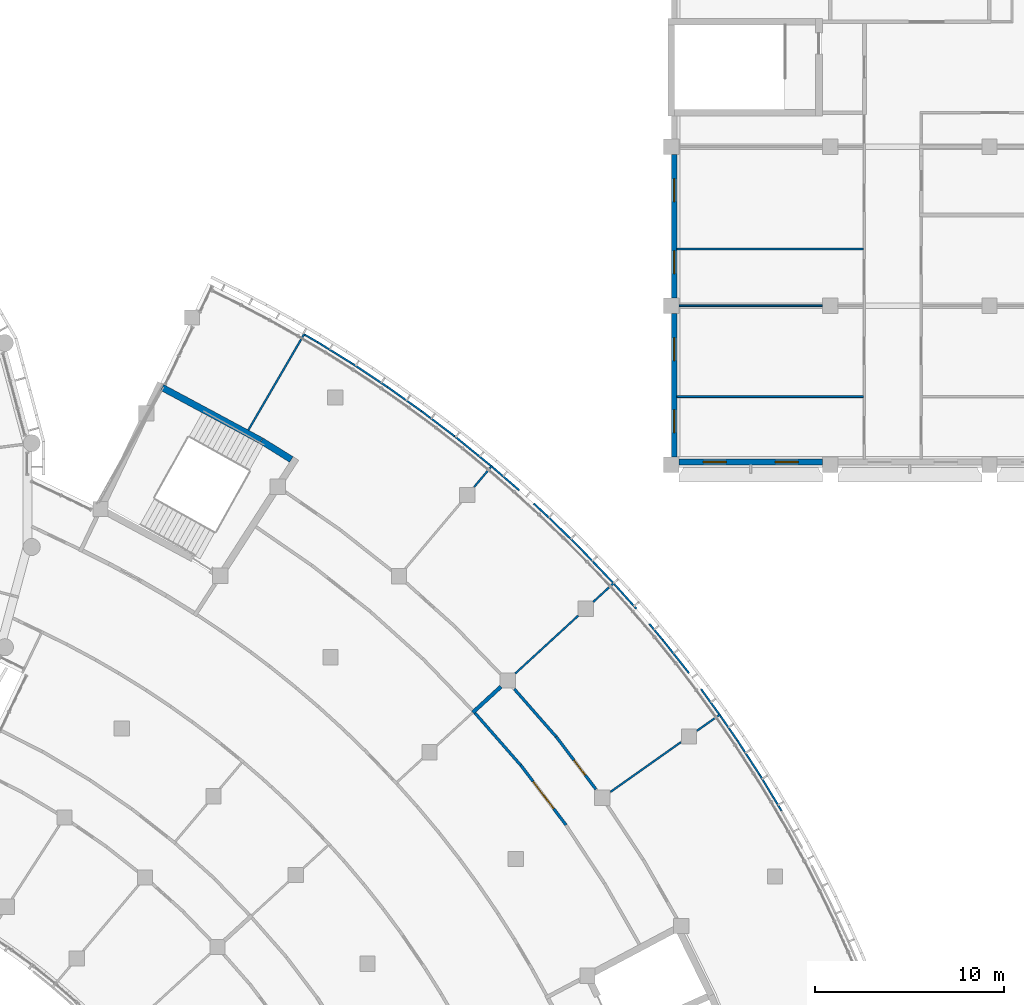
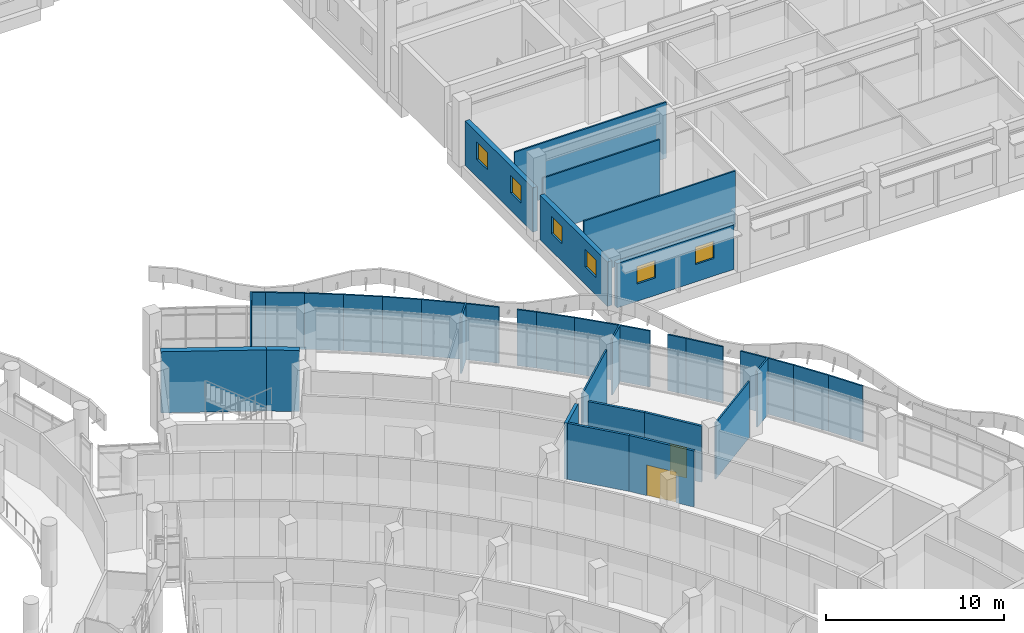
# One storey, part 52 of 109: 36 walls, 6 windows, 2 doors, 8 openings.
"""IFC4 building model written with IfcOpenShell, lengths in metres."""

from ifc_helpers import new_model, si_unit, direction, frame, frame_2d, origin, place, context, subcontext, project, spatial, rectangle, extrude, material, layer, layer_set, type_object, element, fill, save


model = new_model("IFC4")

# Units and contexts
model_context = context("Model", 3, precision=1e-05, world=origin(), true_north=direction((0.0, 1.0)))
body_context = subcontext(model_context, "Body", "Model", "MODEL_VIEW")
ifc_project = project(units=[si_unit("LENGTHUNIT", "METRE"), si_unit("AREAUNIT", "SQUARE_METRE"), si_unit("VOLUMEUNIT", "CUBIC_METRE"), si_unit("PLANEANGLEUNIT", "RADIAN"), si_unit("MASSUNIT", "GRAM", prefix="KILO")], contexts=[model_context])

# Site, building, storey
site_placement = place(None, origin())
site = spatial("IfcSite", under=ifc_project, at=site_placement, CompositionType="ELEMENT")
building_placement = place(site_placement, origin())
building = spatial("IfcBuilding", under=site, at=building_placement, Name="Bougainvillea Quay General Hospital", CompositionType="ELEMENT")
storey_placement = place(building_placement, frame((0.0, 0.0, 12.60009765625)))
storey = spatial("IfcBuildingStorey", under=building, at=storey_placement, Name="L02", CompositionType="ELEMENT", Elevation=12.60009765625)

# Wall, openings, windows
ifc_material_1 = material(Name="Pale stone rainscreen cladding on insulated masonry backing, pale stone", Category="masonry")
ifc_layer_1 = layer(ifc_material_1, 0.300048828125)
ifc_layer_set_1 = layer_set([ifc_layer_1], Name="Pale stone rainscreen cladding on insulated masonry backing, pale stone")
wall_type_1 = type_object("IfcWallType", Name="External wall pale stone rainscreen 300", PredefinedType="STANDARD", material=ifc_layer_set_1)
wall_1_placement = place(storey_placement, frame((163.949951171875, 92.0, 0.0), z_axis=(0.0, 0.0, 1.0), x_axis=(0.0, -1.0, 0.0)))
wall_1 = element("IfcWall", 1, at=wall_1_placement, inside=storey, type_object=wall_type_1, Name="External wall wall/V3/L02/p0/00e", PredefinedType="STANDARD", context=body_context, shape_type="SweptSolid", body=[
    extrude(rectangle(XDim=7.60009765625, YDim=0.300048828125, at=frame_2d((3.800048828125, 0.0))), origin(), (0.0, 0.0, 1.0), 3.0498046875),
])
opening_1_placement = place(wall_1_placement, frame((1.300048828125, 0.0, 1.199951171875)))
opening_1 = element("IfcOpeningElement", 2, at=opening_1_placement, cuts=wall_1, Name="Opening W2", PredefinedType="OPENING", context=body_context, shape_type="SweptSolid", body=[
    extrude(rectangle(XDim=1.199951171875, YDim=1.199951171875, at=frame_2d((0.60009765625, 0.60009765625))), frame((0.0, 0.159912109375, 0.0), z_axis=(0.0, -1.0, 0.0), x_axis=(1.0, 0.0, 0.0)), (0.0, 0.0, 1.0), 0.320068359375),
])
opening_2_placement = place(wall_1_placement, frame((5.10009765625, 0.0, 1.199951171875)))
opening_2 = element("IfcOpeningElement", 3, at=opening_2_placement, cuts=wall_1, Name="Opening W2", PredefinedType="OPENING", context=body_context, shape_type="SweptSolid", body=[
    extrude(rectangle(XDim=1.199951171875, YDim=1.199951171875, at=frame_2d((0.60009765625, 0.60009765625))), frame((0.0, 0.159912109375, 0.0), z_axis=(0.0, -1.0, 0.0), x_axis=(1.0, 0.0, 0.0)), (0.0, 0.0, 1.0), 0.320068359375),
])
ifc_material_2 = material(Name="Aluminium window frame with low-e double glazed unit", Category="aluminium")
window_type = type_object("IfcWindowType", Name="Window W2 1200x1200", PartitioningType="SINGLE_PANEL", PredefinedType="WINDOW", material=ifc_material_2)
window_1_placement = place(opening_1_placement, origin())
window_1 = element("IfcWindow", 4, at=window_1_placement, inside=storey, type_object=window_type, Name="Window W2 1", OverallHeight=1.199951171875, OverallWidth=1.199951171875, PartitioningType="SINGLE_PANEL", PredefinedType="WINDOW", context=body_context, shape_type="SweptSolid", body=[
    extrude(rectangle(XDim=1.199951171875, YDim=1.199951171875, at=frame_2d((0.60009765625, 0.60009765625))), frame((0.0, 0.030029296875, 0.0), z_axis=(0.0, -1.0, 0.0), x_axis=(1.0, 0.0, 0.0)), (0.0, 0.0, 1.0), 0.06005859375),
])
fill(opening_1, window_1)
window_2_placement = place(opening_2_placement, origin())
window_2 = element("IfcWindow", 5, at=window_2_placement, inside=storey, type_object=window_type, Name="Window W2 2", OverallHeight=1.199951171875, OverallWidth=1.199951171875, PartitioningType="SINGLE_PANEL", PredefinedType="WINDOW", context=body_context, shape_type="SweptSolid", body=[
    extrude(rectangle(XDim=1.199951171875, YDim=1.199951171875, at=frame_2d((0.60009765625, 0.60009765625))), frame((0.0, 0.030029296875, 0.0), z_axis=(0.0, -1.0, 0.0), x_axis=(1.0, 0.0, 0.0)), (0.0, 0.0, 1.0), 0.06005859375),
])
fill(opening_2, window_2)

wall_2_placement = place(storey_placement, frame((163.949951171875, 83.60009765625, 0.0), z_axis=(0.0, 0.0, 1.0), x_axis=(0.0, -1.0, 0.0)))
wall_2 = element("IfcWall", 6, at=wall_2_placement, inside=storey, type_object=wall_type_1, Name="External wall wall/V3/L02/p0/00f", PredefinedType="STANDARD", context=body_context, shape_type="SweptSolid", body=[
    extrude(rectangle(XDim=7.60009765625, YDim=0.300048828125, at=frame_2d((3.800048828125, 0.0))), origin(), (0.0, 0.0, 1.0), 3.0498046875),
])
opening_3_placement = place(wall_2_placement, frame((1.300048828125, 0.0, 1.199951171875)))
opening_3 = element("IfcOpeningElement", 7, at=opening_3_placement, cuts=wall_2, Name="Opening W2", PredefinedType="OPENING", context=body_context, shape_type="SweptSolid", body=[
    extrude(rectangle(XDim=1.199951171875, YDim=1.199951171875, at=frame_2d((0.60009765625, 0.60009765625))), frame((0.0, 0.159912109375, 0.0), z_axis=(0.0, -1.0, 0.0), x_axis=(1.0, 0.0, 0.0)), (0.0, 0.0, 1.0), 0.320068359375),
])
opening_4_placement = place(wall_2_placement, frame((5.10009765625, 0.0, 1.199951171875)))
opening_4 = element("IfcOpeningElement", 8, at=opening_4_placement, cuts=wall_2, Name="Opening W2", PredefinedType="OPENING", context=body_context, shape_type="SweptSolid", body=[
    extrude(rectangle(XDim=1.199951171875, YDim=1.199951171875, at=frame_2d((0.60009765625, 0.60009765625))), frame((0.0, 0.159912109375, 0.0), z_axis=(0.0, -1.0, 0.0), x_axis=(1.0, 0.0, 0.0)), (0.0, 0.0, 1.0), 0.320068359375),
])
window_3_placement = place(opening_3_placement, origin())
window_3 = element("IfcWindow", 9, at=window_3_placement, inside=storey, type_object=window_type, Name="Window W2 1", OverallHeight=1.199951171875, OverallWidth=1.199951171875, PartitioningType="SINGLE_PANEL", PredefinedType="WINDOW", context=body_context, shape_type="SweptSolid", body=[
    extrude(rectangle(XDim=1.199951171875, YDim=1.199951171875, at=frame_2d((0.60009765625, 0.60009765625))), frame((0.0, 0.030029296875, 0.0), z_axis=(0.0, -1.0, 0.0), x_axis=(1.0, 0.0, 0.0)), (0.0, 0.0, 1.0), 0.06005859375),
])
fill(opening_3, window_3)
window_4_placement = place(opening_4_placement, origin())
window_4 = element("IfcWindow", 10, at=window_4_placement, inside=storey, type_object=window_type, Name="Window W2 2", OverallHeight=1.199951171875, OverallWidth=1.199951171875, PartitioningType="SINGLE_PANEL", PredefinedType="WINDOW", context=body_context, shape_type="SweptSolid", body=[
    extrude(rectangle(XDim=1.199951171875, YDim=1.199951171875, at=frame_2d((0.60009765625, 0.60009765625))), frame((0.0, 0.030029296875, 0.0), z_axis=(0.0, -1.0, 0.0), x_axis=(1.0, 0.0, 0.0)), (0.0, 0.0, 1.0), 0.06005859375),
])
fill(opening_4, window_4)

wall_3_placement = place(storey_placement, frame((164.199951171875, 75.75, 0.0), z_axis=(0.0, 0.0, 1.0), x_axis=(1.0, 0.0, 0.0)))
wall_3 = element("IfcWall", 11, at=wall_3_placement, inside=storey, type_object=wall_type_1, Name="External wall wall/V3/L02/p0/01a", PredefinedType="STANDARD", context=body_context, shape_type="SweptSolid", body=[
    extrude(rectangle(XDim=7.60009765625, YDim=0.300048828125, at=frame_2d((3.800048828125, 0.0))), origin(), (0.0, 0.0, 1.0), 3.0498046875),
])
opening_5_placement = place(wall_3_placement, frame((1.300048828125, 0.0, 1.199951171875)))
opening_5 = element("IfcOpeningElement", 12, at=opening_5_placement, cuts=wall_3, Name="Opening W2", PredefinedType="OPENING", context=body_context, shape_type="SweptSolid", body=[
    extrude(rectangle(XDim=1.199951171875, YDim=1.199951171875, at=frame_2d((0.60009765625, 0.60009765625))), frame((0.0, 0.159912109375, 0.0), z_axis=(0.0, -1.0, 0.0), x_axis=(1.0, 0.0, 0.0)), (0.0, 0.0, 1.0), 0.320068359375),
])
opening_6_placement = place(wall_3_placement, frame((5.10009765625, 0.0, 1.199951171875)))
opening_6 = element("IfcOpeningElement", 13, at=opening_6_placement, cuts=wall_3, Name="Opening W2", PredefinedType="OPENING", context=body_context, shape_type="SweptSolid", body=[
    extrude(rectangle(XDim=1.199951171875, YDim=1.199951171875, at=frame_2d((0.60009765625, 0.60009765625))), frame((0.0, 0.159912109375, 0.0), z_axis=(0.0, -1.0, 0.0), x_axis=(1.0, 0.0, 0.0)), (0.0, 0.0, 1.0), 0.320068359375),
])
window_5_placement = place(opening_5_placement, origin())
window_5 = element("IfcWindow", 14, at=window_5_placement, inside=storey, type_object=window_type, Name="Window W2 1", OverallHeight=1.199951171875, OverallWidth=1.199951171875, PartitioningType="SINGLE_PANEL", PredefinedType="WINDOW", context=body_context, shape_type="SweptSolid", body=[
    extrude(rectangle(XDim=1.199951171875, YDim=1.199951171875, at=frame_2d((0.60009765625, 0.60009765625))), frame((0.0, 0.030029296875, 0.0), z_axis=(0.0, -1.0, 0.0), x_axis=(1.0, 0.0, 0.0)), (0.0, 0.0, 1.0), 0.06005859375),
])
fill(opening_5, window_5)
window_6_placement = place(opening_6_placement, origin())
window_6 = element("IfcWindow", 15, at=window_6_placement, inside=storey, type_object=window_type, Name="Window W2 2", OverallHeight=1.199951171875, OverallWidth=1.199951171875, PartitioningType="SINGLE_PANEL", PredefinedType="WINDOW", context=body_context, shape_type="SweptSolid", body=[
    extrude(rectangle(XDim=1.199951171875, YDim=1.199951171875, at=frame_2d((0.60009765625, 0.60009765625))), frame((0.0, 0.030029296875, 0.0), z_axis=(0.0, -1.0, 0.0), x_axis=(1.0, 0.0, 0.0)), (0.0, 0.0, 1.0), 0.06005859375),
])
fill(opening_6, window_6)

# Walls
ifc_material_3 = material(Name="Gypsum board partition on steel studs", Category="steel")
ifc_layer_2 = layer(ifc_material_3, 0.10009765625)
ifc_layer_set_2 = layer_set([ifc_layer_2], Name="Gypsum board partition on steel studs")
wall_type_2 = type_object("IfcWallType", Name="Partition 100 Gypsum board partition", PredefinedType="PARTITIONING", material=ifc_layer_set_2)
wall_4_placement = place(storey_placement, frame((164.10009765625, 79.199951171875, 0.0), z_axis=(0.0, 0.0, 1.0), x_axis=(1.0, 0.0, 0.0)))
element("IfcWall", 16, at=wall_4_placement, inside=storey, type_object=wall_type_2, Name="Partition 100 mm", PredefinedType="PARTITIONING", context=body_context, shape_type="SweptSolid", body=[
    extrude(rectangle(XDim=9.849853515625, YDim=0.10009765625, at=frame_2d((4.9248046875, 0.0))), origin(), (0.0, 0.0, 1.0), 3.849853515625),
])
wall_5_placement = place(storey_placement, frame((164.199951171875, 84.0, 0.0), z_axis=(0.0, 0.0, 1.0), x_axis=(1.0, 0.0, 0.0)))
element("IfcWall", 17, at=wall_5_placement, inside=storey, type_object=wall_type_2, Name="Partition 100 mm", PredefinedType="PARTITIONING", context=body_context, shape_type="SweptSolid", body=[
    extrude(rectangle(XDim=7.60009765625, YDim=0.10009765625, at=frame_2d((3.800048828125, 0.0))), origin(), (0.0, 0.0, 1.0), 3.849853515625),
])
wall_6_placement = place(storey_placement, frame((164.10009765625, 87.0, 0.0), z_axis=(0.0, 0.0, 1.0), x_axis=(1.0, 0.0, 0.0)))
element("IfcWall", 18, at=wall_6_placement, inside=storey, type_object=wall_type_2, Name="Partition 100 mm", PredefinedType="PARTITIONING", context=body_context, shape_type="SweptSolid", body=[
    extrude(rectangle(XDim=9.849853515625, YDim=0.10009765625, at=frame_2d((4.9248046875, 0.0))), origin(), (0.0, 0.0, 1.0), 3.849853515625),
])
ifc_layer_3 = layer(ifc_material_3, 0.10009765625)
ifc_layer_set_3 = layer_set([ifc_layer_3], Name="Gypsum board partition on steel studs")
wall_type_3 = type_object("IfcWallType", Name="Partition 100 Gypsum board partition EI 30", PredefinedType="PARTITIONING", material=ifc_layer_set_3)
wall_7_placement = place(storey_placement, frame((155.55419921875, 64.572021484375, 0.0), z_axis=(0.0, 0.0, 1.0), x_axis=(0.736575972323, 0.676354815904, 0.0)))
element("IfcWall", 19, at=wall_7_placement, inside=storey, type_object=wall_type_3, Name="Partition 100 mm EI 30", PredefinedType="PARTITIONING", context=body_context, shape_type="SweptSolid", body=[
    extrude(rectangle(XDim=4.5244140625, YDim=0.10009765625, at=frame_2d((2.26220703125, 0.0))), origin(), (0.0, 0.0, 1.0), 3.849853515625),
])
wall_8_placement = place(storey_placement, frame((159.679443359375, 68.35986328125, 0.0), z_axis=(0.0, 0.0, 1.0), x_axis=(0.736561228266, 0.676370872388, 0.0)))
element("IfcWall", 20, at=wall_8_placement, inside=storey, type_object=wall_type_3, Name="Partition 100 mm EI 30", PredefinedType="PARTITIONING", context=body_context, shape_type="SweptSolid", body=[
    extrude(rectangle(XDim=1.5048828125, YDim=0.10009765625, at=frame_2d((0.75244140625, 0.0))), origin(), (0.0, 0.0, 1.0), 3.849853515625),
])
wall_9_placement = place(storey_placement, frame((153.384521484375, 74.426513671875, 0.0), z_axis=(0.0, 0.0, 1.0), x_axis=(0.644470679359, 0.764629023414, 0.0)))
element("IfcWall", 21, at=wall_9_placement, inside=storey, type_object=wall_type_3, Name="Partition 100 mm EI 30", PredefinedType="PARTITIONING", context=body_context, shape_type="SweptSolid", body=[
    extrude(rectangle(XDim=1.481201171875, YDim=0.10009765625, at=frame_2d((0.74072265625, 0.0))), origin(), (0.0, 0.0, 1.0), 3.849853515625),
])
wall_10_placement = place(storey_placement, frame((160.585205078125, 58.318603515625, 0.0), z_axis=(0.0, 0.0, 1.0), x_axis=(0.816630246187, 0.577161191534, 0.0)))
element("IfcWall", 22, at=wall_10_placement, inside=storey, type_object=wall_type_3, Name="Partition 100 mm EI 30", PredefinedType="PARTITIONING", context=body_context, shape_type="SweptSolid", body=[
    extrude(rectangle(XDim=4.551025390625, YDim=0.10009765625, at=frame_2d((2.275390625, 0.0))), origin(), (0.0, 0.0, 1.0), 3.849853515625),
])
wall_11_placement = place(storey_placement, frame((165.158203125, 61.550537109375, 0.0), z_axis=(0.0, 0.0, 1.0), x_axis=(0.816659911288, 0.577119215842, 0.0)))
element("IfcWall", 23, at=wall_11_placement, inside=storey, type_object=wall_type_3, Name="Partition 100 mm EI 30", PredefinedType="PARTITIONING", context=body_context, shape_type="SweptSolid", body=[
    extrude(rectangle(XDim=1.5166015625, YDim=0.10009765625, at=frame_2d((0.75830078125, 0.0))), origin(), (0.0, 0.0, 1.0), 3.849853515625),
])
wall_12_placement = place(storey_placement, frame((141.461669921875, 77.4365234375, 0.0), z_axis=(0.0, 0.0, 1.0), x_axis=(0.502954842464, 0.864312690201, 0.0)))
element("IfcWall", 24, at=wall_12_placement, inside=storey, type_object=wall_type_3, Name="Partition 100 mm EI 30", PredefinedType="PARTITIONING", context=body_context, shape_type="SweptSolid", body=[
    extrude(rectangle(XDim=5.900146484375, YDim=0.10009765625, at=frame_2d((2.9501953125, 0.0))), origin(), (0.0, 0.0, 1.0), 3.849853515625),
])
wall_13_placement = place(storey_placement, frame((158.927490234375, 71.26123046875, 0.0), z_axis=(0.0, 0.0, 1.0), x_axis=(0.689149915736, -0.724618791946, 0.0)))
element("IfcWall", 25, at=wall_13_placement, inside=storey, type_object=wall_type_3, Name="Partition 100 mm EI 30", PredefinedType="PARTITIONING", context=body_context, shape_type="SweptSolid", body=[
    extrude(rectangle(XDim=2.594970703125, YDim=0.10009765625, at=frame_2d((1.29736328125, 0.0))), origin(), (0.0, 0.0, 1.0), 3.849853515625),
])
wall_14_placement = place(storey_placement, frame((152.358154296875, 77.109619140625, 0.0), z_axis=(0.0, 0.0, 1.0), x_axis=(0.775073195, -0.63187146034, 0.0)))
element("IfcWall", 26, at=wall_14_placement, inside=storey, type_object=wall_type_3, Name="Partition 100 mm EI 30", PredefinedType="PARTITIONING", context=body_context, shape_type="SweptSolid", body=[
    extrude(rectangle(XDim=2.463623046875, YDim=0.10009765625, at=frame_2d((1.23193359375, 0.0))), origin(), (0.0, 0.0, 1.0), 3.849853515625),
])
wall_15_placement = place(storey_placement, frame((168.482177734375, 59.212890625, 0.0), z_axis=(0.0, 0.0, 1.0), x_axis=(0.517604223091, -0.855620165867, 0.0)))
element("IfcWall", 27, at=wall_15_placement, inside=storey, type_object=wall_type_3, Name="Partition 100 mm EI 30", PredefinedType="PARTITIONING", context=body_context, shape_type="SweptSolid", body=[
    extrude(rectangle(XDim=2.20361328125, YDim=0.10009765625, at=frame_2d((1.101806640625, 0.0))), origin(), (0.0, 0.0, 1.0), 3.849853515625),
])
wall_16_placement = place(storey_placement, frame((167.28271484375, 61.058837890625, 0.0), z_axis=(0.0, 0.0, 1.0), x_axis=(0.544248024884, -0.838924363342, 0.0)))
element("IfcWall", 28, at=wall_16_placement, inside=storey, type_object=wall_type_3, Name="Partition 100 mm EI 30", PredefinedType="PARTITIONING", context=body_context, shape_type="SweptSolid", body=[
    extrude(rectangle(XDim=2.202880859375, YDim=0.10009765625, at=frame_2d((1.1015625, 0.0))), origin(), (0.0, 0.0, 1.0), 3.849853515625),
])
wall_17_placement = place(storey_placement, frame((150.604248046875, 78.439208984375, 0.0), z_axis=(0.0, 0.0, 1.0), x_axis=(0.796407759557, -0.604760018948, 0.0)))
element("IfcWall", 29, at=wall_17_placement, inside=storey, type_object=wall_type_3, Name="Partition 100 mm EI 30", PredefinedType="PARTITIONING", context=body_context, shape_type="SweptSolid", body=[
    extrude(rectangle(XDim=2.20263671875, YDim=0.10009765625, at=frame_2d((1.101318359375, 0.0))), origin(), (0.0, 0.0, 1.0), 3.849853515625),
])
wall_18_placement = place(storey_placement, frame((163.344970703125, 66.357177734375, 0.0), z_axis=(0.0, 0.0, 1.0), x_axis=(0.621064038845, -0.783759822684, 0.0)))
element("IfcWall", 30, at=wall_18_placement, inside=storey, type_object=wall_type_3, Name="Partition 100 mm EI 30", PredefinedType="PARTITIONING", context=body_context, shape_type="SweptSolid", body=[
    extrude(rectangle(XDim=2.2509765625, YDim=0.10009765625, at=frame_2d((1.12548828125, 0.0))), origin(), (0.0, 0.0, 1.0), 3.849853515625),
])
wall_19_placement = place(storey_placement, frame((157.354248046875, 72.800048828125, 0.0), z_axis=(0.0, 0.0, 1.0), x_axis=(0.71433030823, -0.699808695819, 0.0)))
element("IfcWall", 31, at=wall_19_placement, inside=storey, type_object=wall_type_3, Name="Partition 100 mm EI 30", PredefinedType="PARTITIONING", context=body_context, shape_type="SweptSolid", body=[
    extrude(rectangle(XDim=2.202392578125, YDim=0.10009765625, at=frame_2d((1.10107421875, 0.0))), origin(), (0.0, 0.0, 1.0), 3.849853515625),
])
wall_20_placement = place(storey_placement, frame((148.810302734375, 79.712890625, 0.0), z_axis=(0.0, 0.0, 1.0), x_axis=(0.814952996863, -0.579527059682, 0.0)))
element("IfcWall", 32, at=wall_20_placement, inside=storey, type_object=wall_type_3, Name="Partition 100 mm EI 30", PredefinedType="PARTITIONING", context=body_context, shape_type="SweptSolid", body=[
    extrude(rectangle(XDim=2.20166015625, YDim=0.10009765625, at=frame_2d((1.100830078125, 0.0))), origin(), (0.0, 0.0, 1.0), 3.849853515625),
])
for number, where, z_axis, x_axis, name in (
    (33, (146.977294921875, 80.9296875, 0.0), (0.0, 0.0, 1.0), (0.832715069348, -0.55370173675, 0.0), "Partition 100 mm EI 30"),
    (34, (145.107421875, 82.08837890625, 0.0), (0.0, 0.0, 1.0), (0.849645306831, -0.527354579557, 0.0), "Partition 100 mm EI 30"),
):
    element("IfcWall", number, at=place(storey_placement, frame(where, z_axis=z_axis, x_axis=x_axis)), inside=storey, type_object=wall_type_3, Name=name, PredefinedType="PARTITIONING", context=body_context, shape_type="SweptSolid", body=[
        extrude(rectangle(XDim=2.201416015625, YDim=0.10009765625, at=frame_2d((1.1005859375, 0.0))), origin(), (0.0, 0.0, 1.0), 3.849853515625),
    ])
wall_21_placement = place(storey_placement, frame((154.34521484375, 75.48779296875, 0.0), z_axis=(0.0, 0.0, 1.0), x_axis=(0.756415130874, -0.654091851184, 0.0)))
element("IfcWall", 35, at=wall_21_placement, inside=storey, type_object=wall_type_3, Name="Partition 100 mm EI 30", PredefinedType="PARTITIONING", context=body_context, shape_type="SweptSolid", body=[
    extrude(rectangle(XDim=1.885009765625, YDim=0.10009765625, at=frame_2d((0.9423828125, 0.0))), origin(), (0.0, 0.0, 1.0), 3.849853515625),
])
wall_22_placement = place(storey_placement, frame((160.784912109375, 69.306396484375, 0.0), z_axis=(0.0, 0.0, 1.0), x_axis=(0.66751043351, -0.744600443967, 0.0)))
element("IfcWall", 36, at=wall_22_placement, inside=storey, type_object=wall_type_3, Name="Partition 100 mm EI 30", PredefinedType="PARTITIONING", context=body_context, shape_type="SweptSolid", body=[
    extrude(rectangle(XDim=1.75439453125, YDim=0.10009765625, at=frame_2d((0.877197265625, 0.0))), origin(), (0.0, 0.0, 1.0), 3.849853515625),
])
wall_23_placement = place(storey_placement, frame((166.384765625, 62.35546875, 0.0), z_axis=(0.0, 0.0, 1.0), x_axis=(0.568646920536, -0.822581716163, 0.0)))
element("IfcWall", 37, at=wall_23_placement, inside=storey, type_object=wall_type_3, Name="Partition 100 mm EI 30", PredefinedType="PARTITIONING", context=body_context, shape_type="SweptSolid", body=[
    extrude(rectangle(XDim=1.57861328125, YDim=0.10009765625, at=frame_2d((0.789306640625, 0.0))), origin(), (0.0, 0.0, 1.0), 3.849853515625),
])
wall_24_placement = place(storey_placement, frame((165.375, 63.7548828125, 0.0), z_axis=(0.0, 0.0, 1.0), x_axis=(0.585622227381, -0.810584114573, 0.0)))
element("IfcWall", 38, at=wall_24_placement, inside=storey, type_object=wall_type_3, Name="Partition 100 mm EI 30", PredefinedType="PARTITIONING", context=body_context, shape_type="SweptSolid", body=[
    extrude(rectangle(XDim=1.62451171875, YDim=0.10009765625, at=frame_2d((0.812255859375, 0.0))), origin(), (0.0, 0.0, 1.0), 3.849853515625),
])
wall_25_placement = place(storey_placement, frame((156.535888671875, 73.556884765625, 0.0), z_axis=(0.0, 0.0, 1.0), x_axis=(0.73329195352, -0.679913899624, 0.0)))
element("IfcWall", 39, at=wall_25_placement, inside=storey, type_object=wall_type_3, Name="Partition 100 mm EI 30", PredefinedType="PARTITIONING", context=body_context, shape_type="SweptSolid", body=[
    extrude(rectangle(XDim=1.115966796875, YDim=0.10009765625, at=frame_2d((0.55810546875, 0.0))), origin(), (0.0, 0.0, 1.0), 3.849853515625),
])
wall_26_placement = place(storey_placement, frame((162.637939453125, 67.2041015625, 0.0), z_axis=(0.0, 0.0, 1.0), x_axis=(0.639966938555, -0.768402445049, 0.0)))
element("IfcWall", 40, at=wall_26_placement, inside=storey, type_object=wall_type_3, Name="Partition 100 mm EI 30", PredefinedType="PARTITIONING", context=body_context, shape_type="SweptSolid", body=[
    extrude(rectangle(XDim=1.1044921875, YDim=0.10009765625, at=frame_2d((0.55224609375, 0.0))), origin(), (0.0, 0.0, 1.0), 3.849853515625),
])
wall_27_placement = place(storey_placement, frame((144.447509765625, 82.468017578125, 0.0), z_axis=(0.0, 0.0, 1.0), x_axis=(0.865710995421, -0.50054417628, 0.0)))
element("IfcWall", 41, at=wall_27_placement, inside=storey, type_object=wall_type_3, Name="Partition 100 mm EI 30", PredefinedType="PARTITIONING", context=body_context, shape_type="SweptSolid", body=[
    extrude(rectangle(XDim=0.762939453125, YDim=0.10009765625, at=frame_2d((0.38134765625, 0.0))), origin(), (0.0, 0.0, 1.0), 3.849853515625),
])

# Wall, opening, door
ifc_material_4 = material(Name="Gypsum board partition on steel studs, insulated", Category="steel")
ifc_layer_4 = layer(ifc_material_4, 0.14990234375)
ifc_layer_set_4 = layer_set([ifc_layer_4], Name="Gypsum board partition on steel studs, insulated")
wall_type_4 = type_object("IfcWallType", Name="Partition 150 Gypsum board partition EI 30", PredefinedType="PARTITIONING", material=ifc_layer_set_4)
wall_28_placement = place(storey_placement, frame((157.7119140625, 61.251708984375, 0.0), z_axis=(0.0, 0.0, 1.0), x_axis=(0.602876520925, -0.797834506974, 0.0)))
wall_28 = element("IfcWall", 42, at=wall_28_placement, inside=storey, type_object=wall_type_4, Name="Partition 150 mm EI 30", PredefinedType="PARTITIONING", context=body_context, shape_type="SweptSolid", body=[
    extrude(rectangle(XDim=3.498779296875, YDim=0.14990234375, at=frame_2d((1.74951171875, 0.0))), origin(), (0.0, 0.0, 1.0), 3.849853515625),
])
opening_7_placement = place(wall_28_placement, frame((1.5654296875, 0.0, 0.0)))
opening_7 = element("IfcOpeningElement", 43, at=opening_7_placement, cuts=wall_28, Name="Opening L02.223", PredefinedType="OPENING", context=body_context, shape_type="SweptSolid", body=[
    extrude(rectangle(XDim=1.0, YDim=2.10009765625, at=frame_2d((0.5, 1.050048828125))), frame((0.0, 0.0849609375, 0.0), z_axis=(0.0, -1.0, 0.0), x_axis=(1.0, 0.0, 0.0)), (0.0, 0.0, 1.0), 0.169921875),
])
ifc_material_5 = material(Name="Solid-core timber door leaf in steel frame", Category="steel")
door_type_1 = type_object("IfcDoorType", Name="Single leaf door 1000x2100 FD30S", OperationType="NOTDEFINED", PredefinedType="DOOR", material=ifc_material_5)
door_1_placement = place(opening_7_placement, origin())
door_1 = element("IfcDoor", 44, at=door_1_placement, inside=storey, type_object=door_type_1, Name="DT15 L02.223", OperationType="SINGLE_SWING_RIGHT", OverallHeight=2.10009765625, OverallWidth=1.0, PredefinedType="DOOR", context=body_context, shape_type="SweptSolid", body=[
    extrude(rectangle(XDim=1.0, YDim=2.10009765625, at=frame_2d((0.5, 1.050048828125))), frame((0.0, 0.02490234375, 0.0), z_axis=(0.0, -1.0, 0.0), x_axis=(1.0, 0.0, 0.0)), (0.0, 0.0, 1.0), 0.050048828125),
])
fill(opening_7, door_1)

# Wall
wall_29_placement = place(storey_placement, frame((155.503662109375, 63.76220703125, 0.0), z_axis=(0.0, 0.0, 1.0), x_axis=(0.659211514152, -0.751957565032, 0.0)))
element("IfcWall", 45, at=wall_29_placement, inside=storey, type_object=wall_type_4, Name="Partition 150 mm EI 30", PredefinedType="PARTITIONING", context=body_context, shape_type="SweptSolid", body=[
    extrude(rectangle(XDim=3.348388671875, YDim=0.14990234375, at=frame_2d((1.67431640625, 0.0))), origin(), (0.0, 0.0, 1.0), 3.849853515625),
])

# Wall, opening, door
wall_30_placement = place(storey_placement, frame((155.84375, 59.743896484375, 0.0), z_axis=(0.0, 0.0, 1.0), x_axis=(0.602932061418, -0.797792535258, 0.0)))
wall_30 = element("IfcWall", 46, at=wall_30_placement, inside=storey, type_object=wall_type_4, Name="Partition 150 mm EI 30", PredefinedType="PARTITIONING", context=body_context, shape_type="SweptSolid", body=[
    extrude(rectangle(XDim=3.97802734375, YDim=0.14990234375, at=frame_2d((1.989013671875, 0.0))), origin(), (0.0, 0.0, 1.0), 3.849853515625),
])
opening_8_placement = place(wall_30_placement, frame((1.089111328125, 0.0, 0.0)))
opening_8 = element("IfcOpeningElement", 47, at=opening_8_placement, cuts=wall_30, Name="Opening L02.182", PredefinedType="OPENING", context=body_context, shape_type="SweptSolid", body=[
    extrude(rectangle(XDim=1.800048828125, YDim=2.10009765625, at=frame_2d((0.89990234375, 1.050048828125))), frame((0.0, 0.0849609375, 0.0), z_axis=(0.0, -1.0, 0.0), x_axis=(1.0, 0.0, 0.0)), (0.0, 0.0, 1.0), 0.169921875),
])
ifc_material_6 = material(Name="Solid-core timber door leaves in steel frame", Category="steel")
door_type_2 = type_object("IfcDoorType", Name="Double leaf door 1800x2100", OperationType="DOUBLE_DOOR_SINGLE_SWING", PredefinedType="DOOR", material=ifc_material_6)
door_2_placement = place(opening_8_placement, origin())
door_2 = element("IfcDoor", 48, at=door_2_placement, inside=storey, type_object=door_type_2, Name="DT08 L02.182", OperationType="DOUBLE_DOOR_SINGLE_SWING", OverallHeight=2.10009765625, OverallWidth=1.800048828125, PredefinedType="DOOR", context=body_context, shape_type="SweptSolid", body=[
    extrude(rectangle(XDim=1.800048828125, YDim=2.10009765625, at=frame_2d((0.89990234375, 1.050048828125))), frame((0.0, 0.02490234375, 0.0), z_axis=(0.0, -1.0, 0.0), x_axis=(1.0, 0.0, 0.0)), (0.0, 0.0, 1.0), 0.050048828125),
])
fill(opening_8, door_2)

# Walls
wall_31_placement = place(storey_placement, frame((153.431884765625, 62.488037109375, 0.0), z_axis=(0.0, 0.0, 1.0), x_axis=(0.659061919253, -0.752088682663, 0.0)))
element("IfcWall", 49, at=wall_31_placement, inside=storey, type_object=wall_type_4, Name="Partition 150 mm EI 30", PredefinedType="PARTITIONING", context=body_context, shape_type="SweptSolid", body=[
    extrude(rectangle(XDim=3.658447265625, YDim=0.14990234375, at=frame_2d((1.8291015625, 0.0))), origin(), (0.0, 0.0, 1.0), 3.849853515625),
])
ifc_material_7 = material(Name="Fire-rated autoclaved aerated block wall, plastered")
ifc_layer_5 = layer(ifc_material_7, 0.199951171875)
ifc_layer_set_5 = layer_set([ifc_layer_5], Name="Fire-rated autoclaved aerated block wall, plastered")
wall_type_5 = type_object("IfcWallType", Name="Partition 200 Fire-rated autoclaved aerated block wall EI 120", PredefinedType="SOLIDWALL", material=ifc_layer_set_5)
wall_32_placement = place(storey_placement, frame((153.311767578125, 62.51123046875, 0.0), z_axis=(0.0, 0.0, 1.0), x_axis=(0.736286893473, 0.676669498722, 0.0)))
element("IfcWall", 50, at=wall_32_placement, inside=storey, type_object=wall_type_5, Name="Partition 200 mm EI 120", PredefinedType="SOLIDWALL", context=body_context, shape_type="SweptSolid", body=[
    extrude(rectangle(XDim=2.02294921875, YDim=0.199951171875, at=frame_2d((1.011474609375, 0.0))), origin(), (0.0, 0.0, 1.0), 3.849853515625),
])
ifc_material_8 = material(Name="Concrete C40", Category="concrete")
ifc_layer_6 = layer(ifc_material_8, 0.35009765625)
ifc_layer_set_6 = layer_set([ifc_layer_6], Name="Concrete C40")
wall_type_6 = type_object("IfcWallType", Name="RC SHEAR WALL 350 C40", PredefinedType="SHEAR", material=ifc_layer_set_6)
wall_33_placement = place(storey_placement, frame((142.14208984375, 76.87060546875, 0.0), z_axis=(0.0, 0.0, 1.0), x_axis=(-0.880979840223, 0.473153802817, 0.0)))
element("IfcWall", 51, at=wall_33_placement, inside=storey, type_object=wall_type_6, Name="Shear wall L02", PredefinedType="SHEAR", context=body_context, shape_type="SweptSolid", body=[
    extrude(rectangle(XDim=5.942138671875, YDim=0.35009765625, at=frame_2d((2.97119140625, 0.0))), origin(), (0.0, 0.0, 1.0), 4.199951171875),
])
wall_34_placement = place(storey_placement, frame((142.15185546875, 76.864990234375, 0.0), z_axis=(0.0, 0.0, 1.0), x_axis=(0.849013462734, -0.528371214296, 0.0)))
element("IfcWall", 52, at=wall_34_placement, inside=storey, type_object=wall_type_6, Name="Shear wall L02", PredefinedType="SHEAR", context=body_context, shape_type="SweptSolid", body=[
    extrude(rectangle(XDim=1.861572265625, YDim=0.35009765625, at=frame_2d((0.9306640625, 0.0))), origin(), (0.0, 0.0, 1.0), 4.199951171875),
])

save(model, "model.ifc")
